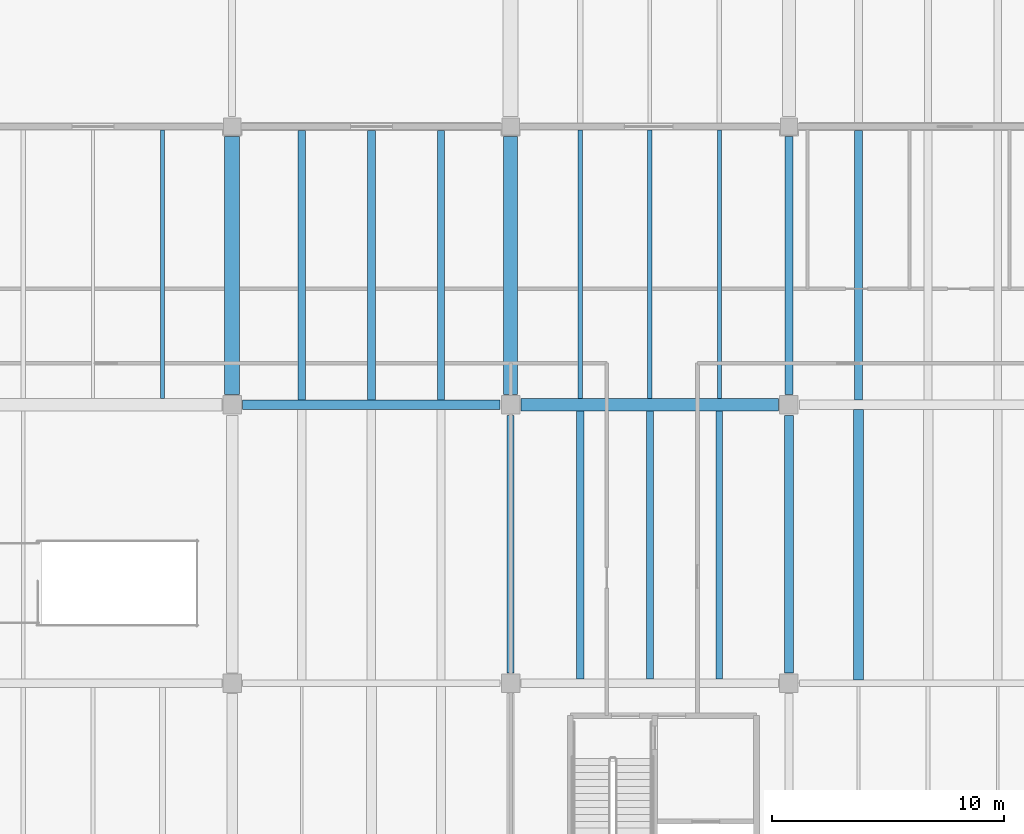
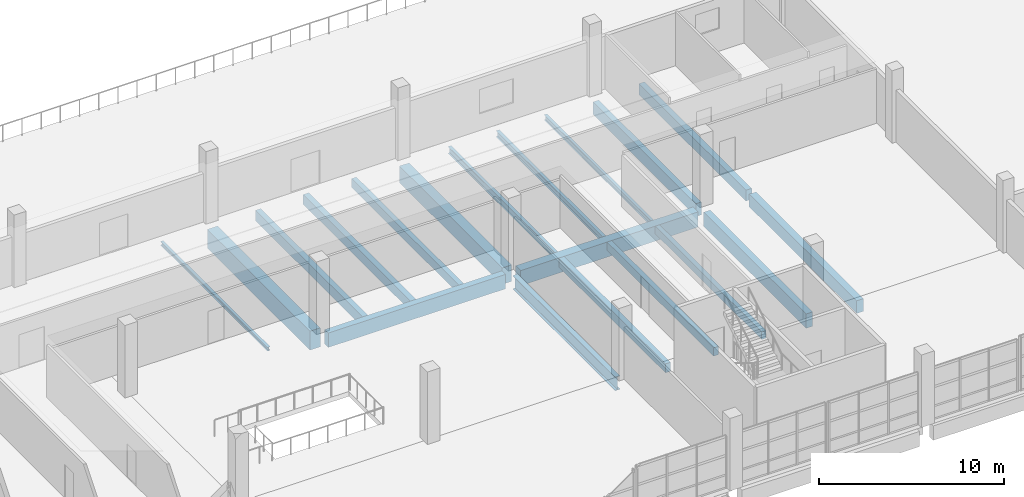
# One storey, part 34 of 112: 19 beams.
"""IFC4 building model written with IfcOpenShell, lengths in metres."""

from ifc_helpers import new_model, si_unit, direction, frame, origin, origin_2d, place, context, subcontext, project, spatial, rectangle, i_section, extrude, material, material_profile, profile_set, type_object, element, save


model = new_model("IFC4")

# Units and contexts
model_context = context("Model", 3, precision=1e-05, world=origin(), true_north=direction((0.0, 1.0)))
body_context = subcontext(model_context, "Body", "Model", "MODEL_VIEW")
ifc_project = project(units=[si_unit("LENGTHUNIT", "METRE"), si_unit("AREAUNIT", "SQUARE_METRE"), si_unit("VOLUMEUNIT", "CUBIC_METRE"), si_unit("PLANEANGLEUNIT", "RADIAN"), si_unit("MASSUNIT", "GRAM", prefix="KILO")], contexts=[model_context])

# Site, building, storey
site_placement = place(None, origin())
site = spatial("IfcSite", under=ifc_project, at=site_placement, CompositionType="ELEMENT")
building_placement = place(site_placement, origin())
building = spatial("IfcBuilding", under=site, at=building_placement, Name="Kamomehara Wholesale Market", CompositionType="ELEMENT")
storey_placement = place(building_placement, frame((0.0, 0.0, 6.60009765625)))
storey = spatial("IfcBuildingStorey", under=building, at=storey_placement, Name="L01", CompositionType="ELEMENT", Elevation=6.60009765625)

# Beams
ifc_material_1 = material(Name="Precast concrete Fc45 (C40/50)", Category="concrete")
ifc_material_profile_1 = material_profile(ifc_material_1, rectangle(XDim=0.60009765625, YDim=1.10009765625, at=origin_2d()), Name="PC-GRD-600x1100")
ifc_profile_set_1 = profile_set([ifc_material_profile_1], Name="Precast concrete Fc45 (C40/50)")
beam_type_1 = type_object("IfcBeamType", Name="BM-PG1100", PredefinedType="T_BEAM", material=ifc_profile_set_1)
beam_1_placement = place(storey_placement, frame((144.0, 36.449951171875, -0.89208984375), z_axis=(0.0, 1.0, 0.0), x_axis=(-1.0, 0.0, 0.0)))
element("IfcBeam", 1, at=beam_1_placement, inside=storey, type_object=beam_type_1, Name="Beam PG-07 L01", PredefinedType="T_BEAM", context=body_context, shape_type="SweptSolid", body=[
    extrude(rectangle(XDim=0.60009765625, YDim=1.10009765625, at=origin_2d()), origin(), (0.0, 0.0, 1.0), 11.125),
])
ifc_material_2 = material(Name="Precast concrete Fc45 (C40/50)", Category="concrete")
ifc_material_profile_2 = material_profile(ifc_material_2, rectangle(XDim=0.64990234375, YDim=1.25, at=origin_2d()), Name="PC-GRD-650x1250")
ifc_profile_set_2 = profile_set([ifc_material_profile_2], Name="Precast concrete Fc45 (C40/50)")
beam_type_2 = type_object("IfcBeamType", Name="BM-PG1250", PredefinedType="T_BEAM", material=ifc_profile_set_2)
beam_2_placement = place(storey_placement, frame((132.0, 36.449951171875, -0.947021484375), z_axis=(0.0, 1.0, 0.0), x_axis=(-1.0, 0.0, 0.0)))
element("IfcBeam", 2, at=beam_2_placement, inside=storey, type_object=beam_type_2, Name="Beam PG-04 L01", PredefinedType="T_BEAM", context=body_context, shape_type="SweptSolid", body=[
    extrude(rectangle(XDim=0.64990234375, YDim=1.25, at=origin_2d()), origin(), (0.0, 0.0, 1.0), 11.125),
])
ifc_material_3 = material(Name="Precast concrete Fc45 (C40/50)", Category="concrete")
ifc_material_profile_3 = material_profile(ifc_material_3, rectangle(XDim=0.280029296875, YDim=0.5, at=origin_2d()), Name="PC-JST-280x500")
ifc_profile_set_3 = profile_set([ifc_material_profile_3], Name="Precast concrete Fc45 (C40/50)")
beam_type_3 = type_object("IfcBeamType", Name="BM-PJ500", PredefinedType="JOIST", material=ifc_profile_set_3)
beam_3_placement = place(storey_placement, frame((153.0, 24.175048828125, -0.592041015625), z_axis=(0.0, 1.0, 0.0), x_axis=(-1.0, 0.0, 0.0)))
element("IfcBeam", 3, at=beam_3_placement, inside=storey, type_object=beam_type_3, Name="Beam PJ-11 L01", PredefinedType="JOIST", context=body_context, shape_type="SweptSolid", body=[
    extrude(rectangle(XDim=0.280029296875, YDim=0.5, at=origin_2d()), origin(), (0.0, 0.0, 1.0), 11.550048828125),
])
ifc_material_4 = material(Name="Precast concrete Fc45 (C40/50)", Category="concrete")
ifc_material_profile_4 = material_profile(ifc_material_4, rectangle(XDim=0.300048828125, YDim=0.550048828125, at=origin_2d()), Name="PC-JST-300x550")
ifc_profile_set_4 = profile_set([ifc_material_profile_4], Name="Precast concrete Fc45 (C40/50)")
beam_type_4 = type_object("IfcBeamType", Name="BM-PJ550", PredefinedType="JOIST", material=ifc_profile_set_4)
beam_4_placement = place(storey_placement, frame((150.0, 24.175048828125, -0.6171875), z_axis=(0.0, 1.0, 0.0), x_axis=(-1.0, 0.0, 0.0)))
element("IfcBeam", 4, at=beam_4_placement, inside=storey, type_object=beam_type_4, Name="Beam PJ-06 L01", PredefinedType="JOIST", context=body_context, shape_type="SweptSolid", body=[
    extrude(rectangle(XDim=0.300048828125, YDim=0.550048828125, at=origin_2d()), origin(), (0.0, 0.0, 1.0), 11.550048828125),
])
ifc_material_5 = material(Name="Precast concrete Fc45 (C40/50)", Category="concrete")
ifc_material_profile_5 = material_profile(ifc_material_5, rectangle(XDim=0.320068359375, YDim=0.60009765625, at=origin_2d()), Name="PC-JST-320x600")
ifc_profile_set_5 = profile_set([ifc_material_profile_5], Name="Precast concrete Fc45 (C40/50)")
beam_type_5 = type_object("IfcBeamType", Name="BM-PJ600", PredefinedType="JOIST", material=ifc_profile_set_5)
beam_5_placement = place(storey_placement, frame((147.0, 24.175048828125, -0.64208984375), z_axis=(0.0, 1.0, 0.0), x_axis=(-1.0, 0.0, 0.0)))
element("IfcBeam", 5, at=beam_5_placement, inside=storey, type_object=beam_type_5, Name="Beam PJ-05 L01", PredefinedType="JOIST", context=body_context, shape_type="SweptSolid", body=[
    extrude(rectangle(XDim=0.320068359375, YDim=0.60009765625, at=origin_2d()), origin(), (0.0, 0.0, 1.0), 11.550048828125),
])
ifc_material_6 = material(Name="Precast concrete Fc45 (C40/50)", Category="concrete")
ifc_material_profile_6 = material_profile(ifc_material_6, rectangle(XDim=0.300048828125, YDim=0.60009765625, at=origin_2d()), Name="PC-JST-300x600")
ifc_profile_set_6 = profile_set([ifc_material_profile_6], Name="Precast concrete Fc45 (C40/50)")
beam_type_6 = type_object("IfcBeamType", Name="BM-PJ600B", PredefinedType="JOIST", material=ifc_profile_set_6)
beam_6_placement = place(storey_placement, frame((141.0, 36.199951171875, -0.6220703125), z_axis=(0.0, 1.0, 0.0), x_axis=(-1.0, 0.0, 0.0)))
element("IfcBeam", 6, at=beam_6_placement, inside=storey, type_object=beam_type_6, Name="Beam PJ-10 L01", PredefinedType="JOIST", context=body_context, shape_type="SweptSolid", body=[
    extrude(rectangle(XDim=0.300048828125, YDim=0.60009765625, at=origin_2d()), origin(), (0.0, 0.0, 1.0), 11.625),
])
ifc_material_7 = material(Name="Precast concrete Fc45 (C40/50)", Category="concrete")
ifc_material_profile_7 = material_profile(ifc_material_7, rectangle(XDim=0.35009765625, YDim=0.64990234375, at=origin_2d()), Name="PC-JST-350x650")
ifc_profile_set_7 = profile_set([ifc_material_profile_7], Name="Precast concrete Fc45 (C40/50)")
beam_type_7 = type_object("IfcBeamType", Name="BM-PJ650", PredefinedType="JOIST", material=ifc_profile_set_7)
beam_7_placement = place(storey_placement, frame((138.0, 36.199951171875, -0.647216796875), z_axis=(0.0, 1.0, 0.0), x_axis=(-1.0, 0.0, 0.0)))
element("IfcBeam", 7, at=beam_7_placement, inside=storey, type_object=beam_type_7, Name="Beam PJ-04 L01", PredefinedType="JOIST", context=body_context, shape_type="SweptSolid", body=[
    extrude(rectangle(XDim=0.35009765625, YDim=0.64990234375, at=origin_2d()), origin(), (0.0, 0.0, 1.0), 11.625),
])
ifc_material_8 = material(Name="Precast concrete Fc45 (C40/50)", Category="concrete")
ifc_material_profile_8 = material_profile(ifc_material_8, rectangle(XDim=0.340087890625, YDim=0.679931640625, at=origin_2d()), Name="PC-JST-340x680")
ifc_profile_set_8 = profile_set([ifc_material_profile_8], Name="Precast concrete Fc45 (C40/50)")
beam_type_8 = type_object("IfcBeamType", Name="BM-PJ680", PredefinedType="JOIST", material=ifc_profile_set_8)
beam_8_placement = place(storey_placement, frame((135.0, 36.199951171875, -0.662109375), z_axis=(0.0, 1.0, 0.0), x_axis=(-1.0, 0.0, 0.0)))
element("IfcBeam", 8, at=beam_8_placement, inside=storey, type_object=beam_type_8, Name="Beam PJ-09 L01", PredefinedType="JOIST", context=body_context, shape_type="SweptSolid", body=[
    extrude(rectangle(XDim=0.340087890625, YDim=0.679931640625, at=origin_2d()), origin(), (0.0, 0.0, 1.0), 11.625),
])
ifc_material_9 = material(Name="Precast concrete Fc45 (C40/50)", Category="concrete")
ifc_material_profile_9 = material_profile(ifc_material_9, rectangle(XDim=0.360107421875, YDim=0.719970703125, at=origin_2d()), Name="PC-JST-360x720")
ifc_profile_set_9 = profile_set([ifc_material_profile_9], Name="Precast concrete Fc45 (C40/50)")
beam_type_9 = type_object("IfcBeamType", Name="BM-PJ720", PredefinedType="JOIST", material=ifc_profile_set_9)
beam_9_placement = place(storey_placement, frame((159.0, 36.199951171875, -0.7021484375), z_axis=(0.0, 1.0, 0.0), x_axis=(-1.0, 0.0, 0.0)))
element("IfcBeam", 9, at=beam_9_placement, inside=storey, type_object=beam_type_9, Name="Beam PJ-08 L01", PredefinedType="JOIST", context=body_context, shape_type="SweptSolid", body=[
    extrude(rectangle(XDim=0.360107421875, YDim=0.719970703125, at=origin_2d()), origin(), (0.0, 0.0, 1.0), 11.625),
])
ifc_material_10 = material(Name="Precast concrete Fc45 (C40/50)", Category="concrete")
ifc_material_profile_10 = material_profile(ifc_material_10, rectangle(XDim=0.419921875, YDim=0.840087890625, at=origin_2d()), Name="PC-JST-420x840")
ifc_profile_set_10 = profile_set([ifc_material_profile_10], Name="Precast concrete Fc45 (C40/50)")
beam_type_10 = type_object("IfcBeamType", Name="BM-PJ840", PredefinedType="JOIST", material=ifc_profile_set_10)
beam_10_placement = place(storey_placement, frame((159.0, 24.14990234375, -0.76220703125), z_axis=(0.0, 1.0, 0.0), x_axis=(-1.0, 0.0, 0.0)))
element("IfcBeam", 10, at=beam_10_placement, inside=storey, type_object=beam_type_10, Name="Beam PJ-07 L01", PredefinedType="JOIST", context=body_context, shape_type="SweptSolid", body=[
    extrude(rectangle(XDim=0.419921875, YDim=0.840087890625, at=origin_2d()), origin(), (0.0, 0.0, 1.0), 11.650146484375),
])
ifc_material_11 = material(Name="Concrete Fc36 (C35/45)", Category="concrete")
ifc_material_profile_11 = material_profile(ifc_material_11, rectangle(XDim=0.550048828125, YDim=1.0, at=origin_2d()), Name="RC-SEB-550x1000")
ifc_profile_set_11 = profile_set([ifc_material_profile_11], Name="Concrete Fc36 (C35/45)")
beam_type_11 = type_object("IfcBeamType", Name="BM-SEB1000-EXT", PredefinedType="SPANDREL", material=ifc_profile_set_11)
beam_11_placement = place(storey_placement, frame((144.449951171875, 36.0, -0.842041015625), z_axis=(1.0, 0.0, 0.0), x_axis=(0.0, 1.0, 0.0)))
element("IfcBeam", 11, at=beam_11_placement, inside=storey, type_object=beam_type_11, Name="Beam SEB-03E L01", PredefinedType="SPANDREL", context=body_context, shape_type="SweptSolid", body=[
    extrude(rectangle(XDim=0.550048828125, YDim=1.0, at=origin_2d()), origin(), (0.0, 0.0, 1.0), 11.10009765625),
])
ifc_material_12 = material(Name="Precast concrete Fc45 (C40/50)", Category="concrete")
ifc_material_profile_12 = material_profile(ifc_material_12, rectangle(XDim=0.35009765625, YDim=0.85009765625, at=origin_2d()), Name="PC-SPN-350x850")
ifc_profile_set_12 = profile_set([ifc_material_profile_12], Name="Precast concrete Fc45 (C40/50)")
beam_type_12 = type_object("IfcBeamType", Name="BM-SPN850-EXT", PredefinedType="SPANDREL", material=ifc_profile_set_12)
beam_12_placement = place(storey_placement, frame((156.0, 36.449951171875, -0.76708984375), z_axis=(0.0, 1.0, 0.0), x_axis=(-1.0, 0.0, 0.0)))
element("IfcBeam", 12, at=beam_12_placement, inside=storey, type_object=beam_type_12, Name="Beam SPN-02E L01", PredefinedType="SPANDREL", context=body_context, shape_type="SweptSolid", body=[
    extrude(rectangle(XDim=0.35009765625, YDim=0.85009765625, at=origin_2d()), origin(), (0.0, 0.0, 1.0), 11.125),
])
ifc_material_13 = material(Name="Precast concrete Fc45 (C40/50)", Category="concrete")
ifc_material_profile_13 = material_profile(ifc_material_13, rectangle(XDim=0.39990234375, YDim=0.949951171875, at=origin_2d()), Name="PC-SPN-400x950")
ifc_profile_set_13 = profile_set([ifc_material_profile_13], Name="Precast concrete Fc45 (C40/50)")
beam_type_13 = type_object("IfcBeamType", Name="BM-SPN950-EXT", PredefinedType="SPANDREL", material=ifc_profile_set_13)
for number, where, z_axis, x_axis, name in (
    (13, (156.0, 24.449951171875, -0.817138671875), (0.0, 1.0, 0.0), (-1.0, 0.0, 0.0), "Beam SPN-01E L01"),
    (14, (132.449951171875, 36.0, -0.797119140625), (1.0, 0.0, 0.0), (0.0, 1.0, 0.0), "Beam SPN-01E L01"),
):
    element("IfcBeam", number, at=place(storey_placement, frame(where, z_axis=z_axis, x_axis=x_axis)), inside=storey, type_object=beam_type_13, Name=name, PredefinedType="SPANDREL", context=body_context, shape_type="SweptSolid", body=[
        extrude(rectangle(XDim=0.39990234375, YDim=0.949951171875, at=origin_2d()), origin(), (0.0, 0.0, 1.0), 11.10009765625),
    ])
ifc_material_14 = material(Name="Steel SN400B", Category="steel")
ifc_material_profile_14 = material_profile(ifc_material_14, i_section(OverallWidth=0.175048828125, OverallDepth=0.243896484375, WebThickness=0.007080078125, FlangeThickness=0.010986328125, FilletRadius=0.010986328125, at=origin_2d()), Name="H-244x175x7x11")
ifc_profile_set_14 = profile_set([ifc_material_profile_14], Name="Steel SN400B")
beam_type_14 = type_object("IfcBeamType", Name="BM-ST-H244", PredefinedType="JOIST", material=ifc_profile_set_14)
beam_13_placement = place(storey_placement, frame((129.0, 36.27490234375, -0.444091796875), z_axis=(0.0, 1.0, 0.0), x_axis=(-1.0, 0.0, 0.0)))
element("IfcBeam", 15, at=beam_13_placement, inside=storey, type_object=beam_type_14, Name="Beam SJ-10 L01", PredefinedType="JOIST", context=body_context, shape_type="SweptSolid", body=[
    extrude(i_section(OverallWidth=0.175048828125, OverallDepth=0.243896484375, WebThickness=0.007080078125, FlangeThickness=0.010986328125, FilletRadius=0.010986328125, at=origin_2d()), origin(), (0.0, 0.0, 1.0), 11.5751953125),
])
ifc_material_15 = material(Name="Steel SN400B", Category="steel")
ifc_material_profile_15 = material_profile(ifc_material_15, i_section(OverallWidth=0.175048828125, OverallDepth=0.35009765625, WebThickness=0.007080078125, FlangeThickness=0.010986328125, FilletRadius=0.012939453125, at=origin_2d()), Name="H-350x175x7x11")
ifc_profile_set_15 = profile_set([ifc_material_profile_15], Name="Steel SN400B")
beam_type_15 = type_object("IfcBeamType", Name="BM-ST-H350", PredefinedType="JOIST", material=ifc_profile_set_15)
beam_14_placement = place(storey_placement, frame((153.0, 36.27490234375, -0.51708984375), z_axis=(0.0, 1.0, 0.0), x_axis=(-1.0, 0.0, 0.0)))
element("IfcBeam", 16, at=beam_14_placement, inside=storey, type_object=beam_type_15, Name="Beam SJ-04 L01", PredefinedType="JOIST", context=body_context, shape_type="SweptSolid", body=[
    extrude(i_section(OverallWidth=0.175048828125, OverallDepth=0.35009765625, WebThickness=0.007080078125, FlangeThickness=0.010986328125, FilletRadius=0.012939453125, at=origin_2d()), origin(), (0.0, 0.0, 1.0), 11.5751953125),
])
ifc_material_16 = material(Name="Steel SN400B", Category="steel")
ifc_material_profile_16 = material_profile(ifc_material_16, i_section(OverallWidth=0.199951171875, OverallDepth=0.39990234375, WebThickness=0.008056640625, FlangeThickness=0.012939453125, FilletRadius=0.012939453125, at=origin_2d()), Name="H-400x200x8x13")
ifc_profile_set_16 = profile_set([ifc_material_profile_16], Name="Steel SN400B")
beam_type_16 = type_object("IfcBeamType", Name="BM-ST-H400", PredefinedType="JOIST", material=ifc_profile_set_16)
beam_15_placement = place(storey_placement, frame((150.0, 36.27490234375, -0.5419921875), z_axis=(0.0, 1.0, 0.0), x_axis=(-1.0, 0.0, 0.0)))
element("IfcBeam", 17, at=beam_15_placement, inside=storey, type_object=beam_type_16, Name="Beam SJ-02 L01", PredefinedType="JOIST", context=body_context, shape_type="SweptSolid", body=[
    extrude(i_section(OverallWidth=0.199951171875, OverallDepth=0.39990234375, WebThickness=0.008056640625, FlangeThickness=0.012939453125, FilletRadius=0.012939453125, at=origin_2d()), origin(), (0.0, 0.0, 1.0), 11.5751953125),
])
ifc_material_17 = material(Name="Steel SN400B", Category="steel")
ifc_material_profile_17 = material_profile(ifc_material_17, i_section(OverallWidth=0.199951171875, OverallDepth=0.449951171875, WebThickness=0.009033203125, FlangeThickness=0.013916015625, FilletRadius=0.012939453125, at=origin_2d()), Name="H-450x200x9x14")
ifc_profile_set_17 = profile_set([ifc_material_profile_17], Name="Steel SN400B")
beam_type_17 = type_object("IfcBeamType", Name="BM-ST-H450", PredefinedType="JOIST", material=ifc_profile_set_17)
beam_16_placement = place(storey_placement, frame((147.0, 36.27490234375, -0.567138671875), z_axis=(0.0, 1.0, 0.0), x_axis=(-1.0, 0.0, 0.0)))
element("IfcBeam", 18, at=beam_16_placement, inside=storey, type_object=beam_type_17, Name="Beam SJ-01 L01", PredefinedType="JOIST", context=body_context, shape_type="SweptSolid", body=[
    extrude(i_section(OverallWidth=0.199951171875, OverallDepth=0.449951171875, WebThickness=0.009033203125, FlangeThickness=0.013916015625, FilletRadius=0.012939453125, at=origin_2d()), origin(), (0.0, 0.0, 1.0), 11.5751953125),
])
ifc_material_18 = material(Name="Steel SN490B", Category="steel")
ifc_material_profile_18 = material_profile(ifc_material_18, i_section(OverallWidth=0.300048828125, OverallDepth=0.89990234375, WebThickness=0.01611328125, FlangeThickness=0.028076171875, FilletRadius=0.02392578125, at=origin_2d()), Name="H-900x300x16x28")
ifc_profile_set_18 = profile_set([ifc_material_profile_18], Name="Steel SN490B")
beam_type_18 = type_object("IfcBeamType", Name="BM-ST-H900", PredefinedType="BEAM", material=ifc_profile_set_18)
beam_17_placement = place(storey_placement, frame((144.0, 24.449951171875, -0.7919921875), z_axis=(0.0, 1.0, 0.0), x_axis=(-1.0, 0.0, 0.0)))
element("IfcBeam", 19, at=beam_17_placement, inside=storey, type_object=beam_type_18, Name="Beam SG-01 L01", PredefinedType="BEAM", context=body_context, shape_type="SweptSolid", body=[
    extrude(i_section(OverallWidth=0.300048828125, OverallDepth=0.89990234375, WebThickness=0.01611328125, FlangeThickness=0.028076171875, FilletRadius=0.02392578125, at=origin_2d()), origin(), (0.0, 0.0, 1.0), 11.10009765625),
])

save(model, "model.ifc")
